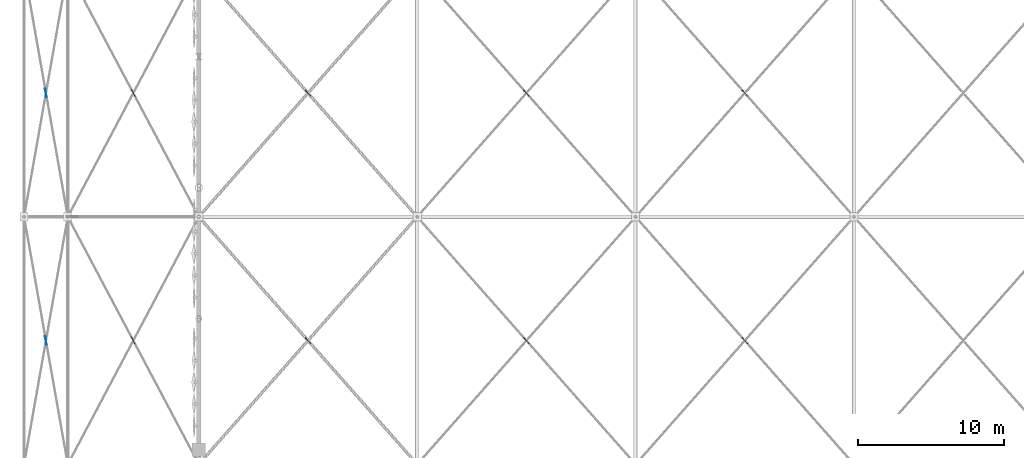
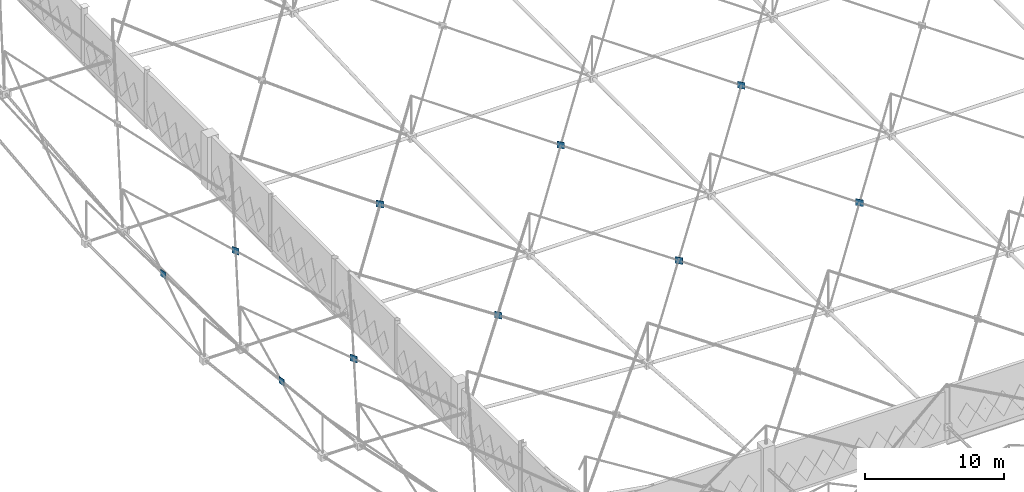
# One storey, part 178 of 224: 10 plates.
"""IFC4 building model written with IfcOpenShell, lengths in metres."""

from ifc_helpers import new_model, si_unit, direction, frame, origin, origin_2d, place, context, subcontext, project, spatial, rectangle, extrude, material, layer, layer_set, type_object, element, save


model = new_model("IFC4")

# Units and contexts
model_context = context("Model", 3, precision=1e-05, world=origin(), true_north=direction((0.0, 1.0)))
body_context = subcontext(model_context, "Body", "Model", "MODEL_VIEW")
ifc_project = project(units=[si_unit("LENGTHUNIT", "METRE"), si_unit("AREAUNIT", "SQUARE_METRE"), si_unit("VOLUMEUNIT", "CUBIC_METRE"), si_unit("PLANEANGLEUNIT", "RADIAN"), si_unit("MASSUNIT", "GRAM", prefix="KILO")], contexts=[model_context])

# Site, building, storey
site_placement = place(None, origin())
site = spatial("IfcSite", under=ifc_project, at=site_placement, CompositionType="ELEMENT")
building_placement = place(site_placement, origin())
building = spatial("IfcBuilding", under=site, at=building_placement, Name="Qamarlyn Nura Convention Centre", CompositionType="ELEMENT")
storey_placement = place(building_placement, frame((0.0, 0.0, 10.800048828125)))
storey = spatial("IfcBuildingStorey", under=building, at=storey_placement, Name="L02", CompositionType="ELEMENT", Elevation=10.800048828125)

# Plates
ifc_material = material(Name="Structural steel ASTM A572 Grade 50", Category="steel")
ifc_layer = layer(ifc_material, 0.035888671875, Name="GP-SN1")
ifc_layer_set = layer_set([ifc_layer], Name="Structural steel ASTM A572 Grade 50")
plate_type = type_object("IfcPlateType", Name="GP-SN1", PredefinedType="USERDEFINED", material=ifc_layer_set)
for number, where, z_axis, x_axis, name in (
    (1, (-10.5, 43.5, 3.4365234375), (0.0, 0.0, 1.0), (-0.173785681076, 0.984783497553, 0.0), "Space frame X-brace crossing gusset plate 0-3"),
    (2, (-10.5, 60.5, 2.51806640625), (0.0, 0.0, 1.0), (-0.173785681076, 0.984783497553, 0.0), "Space frame X-brace crossing gusset plate 0-4"),
    (3, (-4.5, 43.5, 3.32470703125), (0.0, 0.0, 1.0), (-0.467888167267, 0.88378767978, 0.0), "Space frame X-brace crossing gusset plate 1-3"),
    (4, (-4.5, 60.5, 2.4814453125), (0.0, 0.0, 1.0), (-0.467888167267, 0.88378767978, 0.0), "Space frame X-brace crossing gusset plate 1-4"),
    (5, (7.5, 43.5, 2.935791015625), (0.0, 0.0, 1.0), (-0.661622086957, 0.749837458421, 0.0), "Space frame X-brace crossing gusset plate 2-3"),
    (6, (7.5, 60.5, 2.37939453125), (0.0, 0.0, 1.0), (-0.661622086957, 0.749837458421, 0.0), "Space frame X-brace crossing gusset plate 2-4"),
    (7, (22.5, 43.5, 2.487548828125), (0.0, 0.0, 1.0), (-0.661622086957, 0.749837458421, 0.0), "Space frame X-brace crossing gusset plate 3-3"),
    (8, (22.5, 60.5, 2.310546875), (0.0, 0.0, 1.0), (-0.661622086957, 0.749837458421, 0.0), "Space frame X-brace crossing gusset plate 3-4"),
    (9, (37.5, 43.5, 2.317138671875), (0.0, 0.0, 1.0), (-0.661622086957, 0.749837458421, 0.0), "Space frame X-brace crossing gusset plate 4-3"),
    (10, (37.5, 60.5, 2.309814453125), (0.0, 0.0, 1.0), (-0.661622086957, 0.749837458421, 0.0), "Space frame X-brace crossing gusset plate 4-4"),
):
    element("IfcPlate", number, at=place(storey_placement, frame(where, z_axis=z_axis, x_axis=x_axis)), inside=storey, type_object=plate_type, Name=name, ObjectType="GUSSET PLATE", PredefinedType="USERDEFINED", context=body_context, shape_type="SweptSolid", body=[
        extrude(rectangle(XDim=0.580078125, YDim=0.035888671875, at=origin_2d()), origin(), (0.0, 0.0, 1.0), 0.580078125),
    ])

save(model, "model.ifc")
